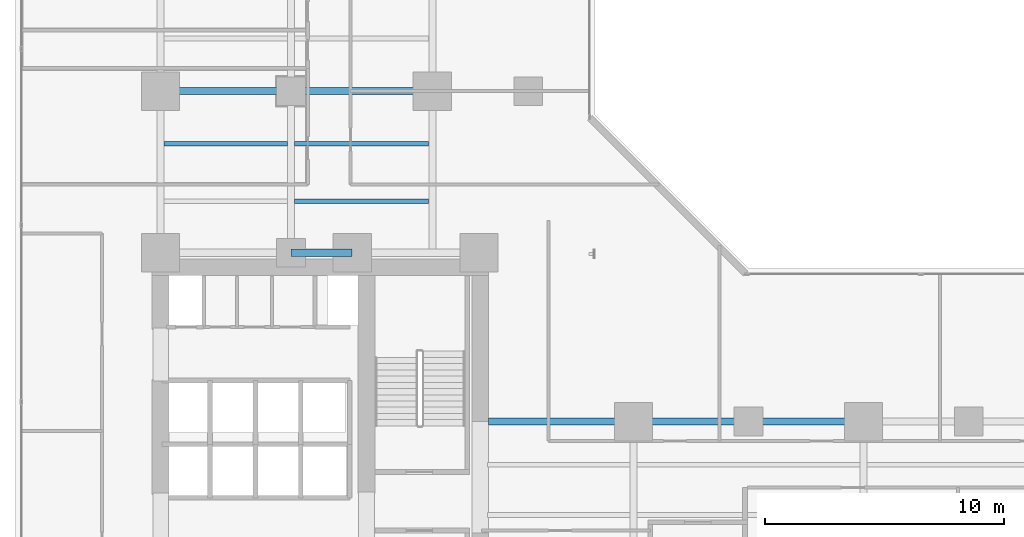
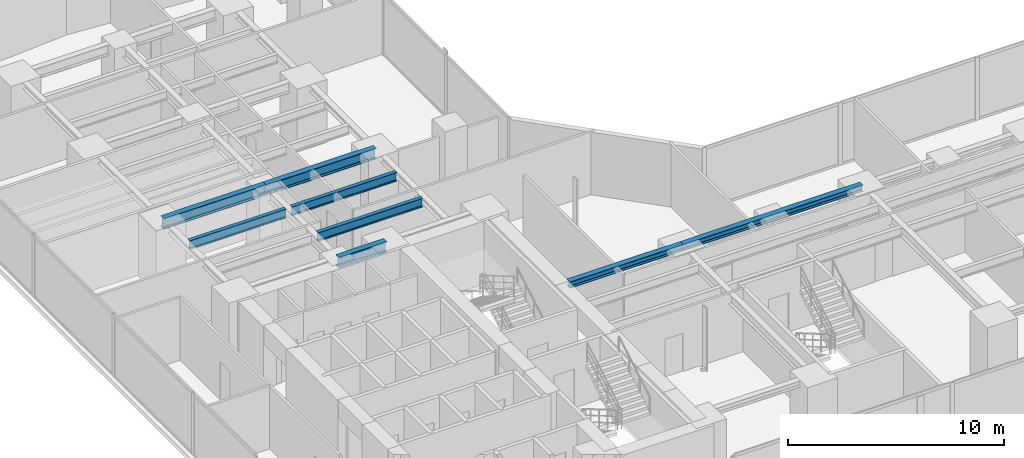
# One storey, part 7 of 26: 8 beams.
"""IFC4 building model written with IfcOpenShell, lengths in metres."""

import ifcopenshell
import ifcopenshell.guid

model = None  # the IFC model being written
_history = None  # IfcOwnerHistory: only IFC2X3 demands one
_inside = {}  # id of a spatial element -> (the spatial element, [elements in it])
_under = {}  # id of a project, library or spatial element -> (it, [spatial elements below it])
_declared = {}  # id of a project -> (the project, [libraries it declares])
_typed = {}  # id of a type object -> (the type object, [elements of that type])
_made_of = {}  # id of a material, layer set ... -> (it, [elements and type objects made of it])


def new_model(schema):
    """Start an empty IFC model of exactly this schema.

    Asked for "IFC4X3", IfcOpenShell would pick the latest addendum, in which some entities
    have other attributes; the version numbers below select the first issue.
    IFC2X3 requires an IfcOwnerHistory on every rooted entity: one is made here for all.
    """
    global model, _history
    if schema == "IFC4X3":
        model = ifcopenshell.file(schema_version=(4, 3, 0, 0))
    else:
        model = ifcopenshell.file(schema=schema)
    _inside.clear()
    _under.clear()
    _declared.clear()
    _typed.clear()
    _made_of.clear()
    _history = None
    if model.schema == "IFC2X3":
        org = make("IfcOrganization", Name="unknown")
        user = make(
            "IfcPersonAndOrganization",
            ThePerson=make("IfcPerson", FamilyName="unknown"),
            TheOrganization=org,
        )
        app = make(
            "IfcApplication",
            ApplicationDeveloper=org,
            Version="unknown",
            ApplicationFullName="unknown",
            ApplicationIdentifier="unknown",
        )
        _history = make(
            "IfcOwnerHistory",
            OwningUser=user,
            OwningApplication=app,
            ChangeAction="ADDED",
            CreationDate=0,
        )
    return model


def make(cls, **values):
    """One entity of the class cls with the attributes given. An attribute that is None is left unset."""
    return model.create_entity(
        cls, **{name: value for name, value in values.items() if value is not None}
    )


def rooted(cls, **values):
    """An entity with a GlobalId (a new one), such as an element, a storey or a relation."""
    return make(cls, GlobalId=ifcopenshell.guid.new(), OwnerHistory=_history, **values)


def si_unit(unit_type, name, prefix=None):
    """IfcSIUnit, for example si_unit("LENGTHUNIT", "METRE", prefix="MILLI")."""
    return make("IfcSIUnit", UnitType=unit_type, Prefix=prefix, Name=name)


def assignment(units):
    """IfcUnitAssignment: the units of a project."""
    return None if units is None else make("IfcUnitAssignment", Units=units)


def point(xyz):
    """IfcCartesianPoint."""
    return None if xyz is None else make("IfcCartesianPoint", Coordinates=xyz)


def direction(xyz):
    """IfcDirection."""
    return None if xyz is None else make("IfcDirection", DirectionRatios=xyz)


def frame(location, z_axis=None, x_axis=None):
    """IfcAxis2Placement3D, a coordinate frame: its origin and axes. An axis left out is left unset."""
    return make(
        "IfcAxis2Placement3D",
        Location=point(location),
        Axis=direction(z_axis),
        RefDirection=direction(x_axis),
    )


def frame_2d(location, x_axis=None):
    """IfcAxis2Placement2D, a coordinate frame in the plane: its origin and x axis."""
    return make(
        "IfcAxis2Placement2D", Location=point(location), RefDirection=direction(x_axis)
    )


def origin():
    """The frame at (0, 0, 0) with its axes left unset."""
    return frame((0.0, 0.0, 0.0))


def origin_2d():
    """The frame at (0, 0) in the plane with its x axis left unset."""
    return frame_2d((0.0, 0.0))


def place(relative_to, where):
    """IfcLocalPlacement: puts the frame where relative to a parent placement (None: the world)."""
    return make(
        "IfcLocalPlacement", PlacementRelTo=relative_to, RelativePlacement=where
    )


def context(
    kind, dimensions, precision=None, world=None, true_north=None, identifier=None
):
    """IfcGeometricRepresentationContext, for example the 3D "Model" context."""
    return make(
        "IfcGeometricRepresentationContext",
        ContextIdentifier=identifier,
        ContextType=kind,
        CoordinateSpaceDimension=dimensions,
        Precision=precision,
        WorldCoordinateSystem=world,
        TrueNorth=true_north,
    )


def subcontext(parent, identifier, kind, view, scale=None):
    """IfcGeometricRepresentationSubContext, for example "Body" below "Model"."""
    return make(
        "IfcGeometricRepresentationSubContext",
        ContextIdentifier=identifier,
        ContextType=kind,
        ParentContext=parent,
        TargetScale=scale,
        TargetView=view,
    )


def project(units=None, contexts=None):
    """IfcProject with its units and contexts."""
    return rooted(
        "IfcProject",
        Name="project",
        RepresentationContexts=contexts,
        UnitsInContext=assignment(units),
    )


def spatial(cls, under=None, at=None, **own):
    """A site, building, storey or space (cls), placed at a placement, below another one or the project."""
    s = rooted(cls, ObjectPlacement=at, **own)
    if under is not None:
        _under.setdefault(under.id(), (under, []))[1].append(s)
    return s


def profile(cls, at=None, kind="AREA", **sizes):
    """A parametric profile (cls). Its sizes go by their IFC names, for example OverallWidth=200.0."""
    return make(cls, ProfileType=kind, Position=at, **sizes)


def i_section(**sizes):
    """IfcIShapeProfileDef."""
    return profile("IfcIShapeProfileDef", **sizes)


def extrude(swept, where, along, depth):
    """IfcExtrudedAreaSolid: the profile swept, set in the frame where, extruded along a direction by depth."""
    return make(
        "IfcExtrudedAreaSolid",
        SweptArea=swept,
        Position=where,
        ExtrudedDirection=direction(along),
        Depth=depth,
    )


def shape(context_of_items, identifier, shape_type, items):
    """IfcShapeRepresentation: the items that make up one representation, for example the "Body"."""
    return make(
        "IfcShapeRepresentation",
        ContextOfItems=context_of_items,
        RepresentationIdentifier=identifier,
        RepresentationType=shape_type,
        Items=items,
    )


def material(Name=None, Category=None):
    """IfcMaterial."""
    return make("IfcMaterial", Name=Name, Category=Category)


def material_profile(
    of_material, cross_section, Name=None, Category=None, Priority=None
):
    """IfcMaterialProfile: a cross section and its material."""
    return make(
        "IfcMaterialProfile",
        Name=Name,
        Material=of_material,
        Profile=cross_section,
        Priority=Priority,
        Category=Category,
    )


def profile_set(profiles, Name=None, composite=None):
    """IfcMaterialProfileSet."""
    return make(
        "IfcMaterialProfileSet",
        Name=Name,
        MaterialProfiles=profiles,
        CompositeProfile=composite,
    )


def made_of(thing, what):
    """Note that an element or type object is made of a material, layer set ...; save() writes the relation."""
    if what is not None:
        _made_of.setdefault(what.id(), (what, []))[1].append(thing)
    return thing


def type_object(cls, material=None, **own):
    """A type object (cls), such as IfcWallType, which elements share."""
    return made_of(rooted(cls, **own), material)


def element(
    cls,
    number,
    at=None,
    inside=None,
    cuts=None,
    type_object=None,
    material=None,
    context=None,
    identifier="Body",
    shape_type=None,
    held_by="IfcProductDefinitionShape",
    body=None,
    shapes=None,
    **own,
):
    """One element of the class cls, such as IfcWall. Its Tag is "e" and its number.

    at: its placement. inside: the storey or other place that contains it. cuts: it is an
    opening in that element (IfcRelVoidsElement). A single representation is given by context,
    identifier, shape_type and body (its items); several are given by shapes. held_by: the class
    of the entity that holds the representations. save() writes the other relations.
    """
    e = rooted(cls, Tag="e%d" % number, ObjectPlacement=at, **own)
    if body is not None:
        shapes = [shape(context, identifier, shape_type, body)]
    if shapes is not None:
        e.Representation = make(held_by, Representations=shapes)
    if inside is not None:
        _inside.setdefault(inside.id(), (inside, []))[1].append(e)
    if cuts is not None:
        rooted(
            "IfcRelVoidsElement", RelatingBuildingElement=cuts, RelatedOpeningElement=e
        )
    if type_object is not None:
        _typed.setdefault(type_object.id(), (type_object, []))[1].append(e)
    return made_of(e, material)


def aggregate(whole, parts):
    """IfcRelAggregates: a whole, such as a stair, and the parts it consists of."""
    return rooted("IfcRelAggregates", RelatingObject=whole, RelatedObjects=parts)


def save(model, path):
    """Write the relations noted so far, then the file.

    IfcRelAggregates (storeys below a building ...), IfcRelContainedInSpatialStructure (elements
    in a storey), IfcRelDefinesByType, IfcRelAssociatesMaterial and IfcRelDeclares: one each for
    every whole, place, type object, material and project.
    """
    for whole, parts in _under.values():
        aggregate(whole, parts)
    for where, things in _inside.values():
        rooted(
            "IfcRelContainedInSpatialStructure",
            RelatedElements=things,
            RelatingStructure=where,
        )
    for kind, things in _typed.values():
        rooted("IfcRelDefinesByType", RelatedObjects=things, RelatingType=kind)
    for what, things in _made_of.values():
        rooted("IfcRelAssociatesMaterial", RelatedObjects=things, RelatingMaterial=what)
    for by, libraries in _declared.values():
        rooted("IfcRelDeclares", RelatingContext=by, RelatedDefinitions=libraries)
    model.write(path)


model = new_model("IFC4")

# Units and contexts
model_context = context("Model", 3, precision=1e-05, world=origin(), true_north=direction((0.0, 1.0)))
body_context = subcontext(model_context, "Body", "Model", "MODEL_VIEW")
ifc_project = project(units=[si_unit("LENGTHUNIT", "METRE"), si_unit("AREAUNIT", "SQUARE_METRE"), si_unit("VOLUMEUNIT", "CUBIC_METRE"), si_unit("PLANEANGLEUNIT", "RADIAN"), si_unit("MASSUNIT", "GRAM", prefix="KILO")], contexts=[model_context])

# Site, building, storey
site_placement = place(None, origin())
site = spatial("IfcSite", under=ifc_project, at=site_placement, CompositionType="ELEMENT")
building_placement = place(site_placement, origin())
building = spatial("IfcBuilding", under=site, at=building_placement, Name="Kolvaren Waterfront Exchange", CompositionType="ELEMENT")
storey_placement = place(building_placement, frame((0.0, 0.0, 44.800048828125)))
storey = spatial("IfcBuildingStorey", under=building, at=storey_placement, Name="L11", CompositionType="ELEMENT", Elevation=44.800048828125)

# Beams
ifc_material = material(Name="Steel S355", Category="steel")
ifc_material_profile_1 = material_profile(ifc_material, i_section(OverallWidth=0.300048828125, OverallDepth=0.360107421875, WebThickness=0.012451171875, FlangeThickness=0.0224609375, FilletRadius=0.027099609375, at=origin_2d()), Name="HEB360")
ifc_profile_set_1 = profile_set([ifc_material_profile_1], Name="Steel S355")
beam_type_1 = type_object("IfcBeamType", Name="STR-BM-HEB360", PredefinedType="SPANDREL", material=ifc_profile_set_1)
beam_1_placement = place(storey_placement, frame((21.14990234375, 17.39990234375, 3.35986328125), z_axis=(1.0, 0.0, 0.0), x_axis=(0.0, 1.0, 0.0)))
element("IfcBeam", 1, at=beam_1_placement, inside=storey, type_object=beam_type_1, Name="L11 east-arm spandrel N1", PredefinedType="SPANDREL", context=body_context, shape_type="SweptSolid", body=[
    extrude(i_section(OverallWidth=0.300048828125, OverallDepth=0.360107421875, WebThickness=0.012451171875, FlangeThickness=0.0224609375, FilletRadius=0.027099609375, at=origin_2d()), origin(), (0.0, 0.0, 1.0), 6.050048828125),
])
beam_2_placement = place(storey_placement, frame((27.199951171875, 17.39990234375, 3.35986328125), z_axis=(1.0, 0.0, 0.0), x_axis=(0.0, 1.0, 0.0)))
element("IfcBeam", 2, at=beam_2_placement, inside=storey, type_object=beam_type_1, Name="L11 east-arm spandrel N2", PredefinedType="SPANDREL", context=body_context, shape_type="SweptSolid", body=[
    extrude(i_section(OverallWidth=0.300048828125, OverallDepth=0.360107421875, WebThickness=0.012451171875, FlangeThickness=0.0224609375, FilletRadius=0.027099609375, at=origin_2d()), origin(), (0.0, 0.0, 1.0), 9.60009765625),
])
ifc_material_profile_2 = material_profile(ifc_material, i_section(OverallWidth=0.300048828125, OverallDepth=0.60009765625, WebThickness=0.015380859375, FlangeThickness=0.030029296875, FilletRadius=0.027099609375, at=origin_2d()), Name="HEB600")
ifc_profile_set_2 = profile_set([ifc_material_profile_2], Name="Steel S355")
beam_type_2 = type_object("IfcBeamType", Name="STR-BM-HEB600", PredefinedType="BEAM", material=ifc_profile_set_2)
beam_3_placement = place(storey_placement, frame((12.89990234375, 24.449951171875, 3.239990234375), z_axis=(1.0, 0.0, 0.0), x_axis=(0.0, 1.0, 0.0)))
element("IfcBeam", 3, at=beam_3_placement, inside=storey, type_object=beam_type_2, Name="L11 north-arm girder 1B", PredefinedType="BEAM", context=body_context, shape_type="SweptSolid", body=[
    extrude(i_section(OverallWidth=0.300048828125, OverallDepth=0.60009765625, WebThickness=0.015380859375, FlangeThickness=0.030029296875, FilletRadius=0.027099609375, at=origin_2d()), origin(), (0.0, 0.0, 1.0), 2.550048828125),
])
beam_4_placement = place(storey_placement, frame((7.449951171875, 31.199951171875, 3.239990234375), z_axis=(1.0, 0.0, 0.0), x_axis=(0.0, 1.0, 0.0)))
element("IfcBeam", 4, at=beam_4_placement, inside=storey, type_object=beam_type_2, Name="L11 north-arm girder 2A", PredefinedType="BEAM", context=body_context, shape_type="SweptSolid", body=[
    extrude(i_section(OverallWidth=0.300048828125, OverallDepth=0.60009765625, WebThickness=0.015380859375, FlangeThickness=0.030029296875, FilletRadius=0.027099609375, at=origin_2d()), origin(), (0.0, 0.0, 1.0), 5.449951171875),
])
beam_5_placement = place(storey_placement, frame((12.89990234375, 31.199951171875, 3.239990234375), z_axis=(1.0, 0.0, 0.0), x_axis=(0.0, 1.0, 0.0)))
element("IfcBeam", 5, at=beam_5_placement, inside=storey, type_object=beam_type_2, Name="L11 north-arm girder 2B", PredefinedType="BEAM", context=body_context, shape_type="SweptSolid", body=[
    extrude(i_section(OverallWidth=0.300048828125, OverallDepth=0.60009765625, WebThickness=0.015380859375, FlangeThickness=0.030029296875, FilletRadius=0.027099609375, at=origin_2d()), origin(), (0.0, 0.0, 1.0), 5.900146484375),
])
ifc_material_profile_3 = material_profile(ifc_material, i_section(OverallWidth=0.199951171875, OverallDepth=0.5, WebThickness=0.01025390625, FlangeThickness=0.01611328125, FilletRadius=0.02099609375, at=origin_2d()), Name="IPE500")
ifc_profile_set_3 = profile_set([ifc_material_profile_3], Name="Steel S355")
beam_type_3 = type_object("IfcBeamType", Name="STR-BM-IPE500", PredefinedType="JOIST", material=ifc_profile_set_3)
beam_6_placement = place(storey_placement, frame((13.052001953125, 26.60009765625, 3.2900390625), z_axis=(1.0, 0.0, 0.0), x_axis=(0.0, 1.0, 0.0)))
element("IfcBeam", 6, at=beam_6_placement, inside=storey, type_object=beam_type_3, Name="L11 north-arm composite joist 1B", PredefinedType="JOIST", context=body_context, shape_type="SweptSolid", body=[
    extrude(i_section(OverallWidth=0.199951171875, OverallDepth=0.5, WebThickness=0.01025390625, FlangeThickness=0.01611328125, FilletRadius=0.02099609375, at=origin_2d()), origin(), (0.0, 0.0, 1.0), 5.595947265625),
])
beam_7_placement = place(storey_placement, frame((7.60205078125, 29.0, 3.2900390625), z_axis=(1.0, 0.0, 0.0), x_axis=(0.0, 1.0, 0.0)))
element("IfcBeam", 7, at=beam_7_placement, inside=storey, type_object=beam_type_3, Name="L11 north-arm composite joist 2A", PredefinedType="JOIST", context=body_context, shape_type="SweptSolid", body=[
    extrude(i_section(OverallWidth=0.199951171875, OverallDepth=0.5, WebThickness=0.01025390625, FlangeThickness=0.01611328125, FilletRadius=0.02099609375, at=origin_2d()), origin(), (0.0, 0.0, 1.0), 5.14599609375),
])
beam_8_placement = place(storey_placement, frame((13.052001953125, 29.0, 3.2900390625), z_axis=(1.0, 0.0, 0.0), x_axis=(0.0, 1.0, 0.0)))
element("IfcBeam", 8, at=beam_8_placement, inside=storey, type_object=beam_type_3, Name="L11 north-arm composite joist 2B", PredefinedType="JOIST", context=body_context, shape_type="SweptSolid", body=[
    extrude(i_section(OverallWidth=0.199951171875, OverallDepth=0.5, WebThickness=0.01025390625, FlangeThickness=0.01611328125, FilletRadius=0.02099609375, at=origin_2d()), origin(), (0.0, 0.0, 1.0), 5.595947265625),
])

save(model, "model.ifc")
